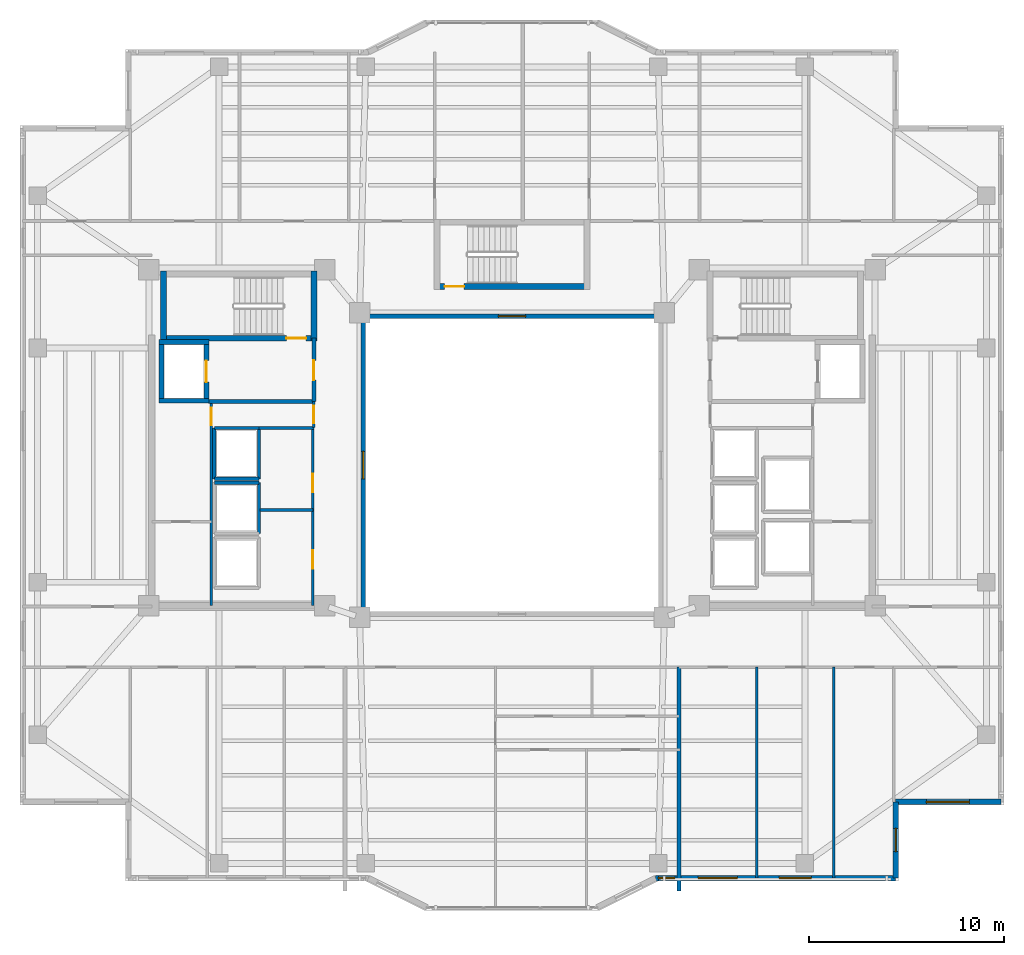
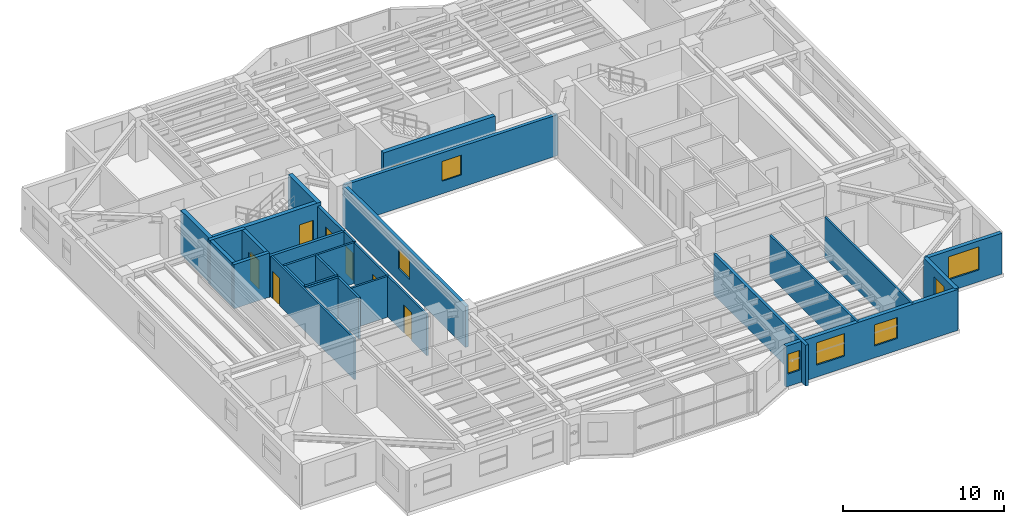
# One storey, part 7 of 15: 29 walls, 8 doors, 7 windows, 15 openings.
"""IFC4 building model written with IfcOpenShell, lengths in metres."""

from ifc_helpers import new_model, si_unit, direction, frame, frame_2d, origin, place, context, subcontext, project, spatial, rectangle, extrude, material, layer, layer_set, type_object, element, fill, save


model = new_model("IFC4")

# Units and contexts
model_context = context("Model", 3, precision=1e-05, world=origin(), true_north=direction((0.0, 1.0)))
body_context = subcontext(model_context, "Body", "Model", "MODEL_VIEW")
ifc_project = project(units=[si_unit("LENGTHUNIT", "METRE"), si_unit("AREAUNIT", "SQUARE_METRE"), si_unit("VOLUMEUNIT", "CUBIC_METRE"), si_unit("PLANEANGLEUNIT", "RADIAN"), si_unit("MASSUNIT", "GRAM", prefix="KILO")], contexts=[model_context])

# Site, building, storey
site_placement = place(None, origin())
site = spatial("IfcSite", under=ifc_project, at=site_placement, CompositionType="ELEMENT")
building_placement = place(site_placement, origin())
building = spatial("IfcBuilding", under=site, at=building_placement, Name="Tarnavaz Court Tower", CompositionType="ELEMENT")
storey_placement = place(building_placement, frame((0.0, 0.0, 139.300048828125)))
storey = spatial("IfcBuildingStorey", under=building, at=storey_placement, Name="L37", CompositionType="ELEMENT", Elevation=139.300048828125)

# Wall
ifc_material_1 = material(Name="Concrete C50/60", Category="concrete")
ifc_layer_1 = layer(ifc_material_1, 0.25)
ifc_layer_set_1 = layer_set([ifc_layer_1], Name="Concrete C50/60")
wall_type_1 = type_object("IfcWallType", Name="WL-CORE-250-C50", PredefinedType="SHEAR", material=ifc_layer_set_1)
wall_1_placement = place(storey_placement, frame((-17.949951171875, 3.175048828125, 0.0), z_axis=(0.0, 0.0, 1.0), x_axis=(0.0, 1.0, 0.0)))
element("IfcWall", 1, at=wall_1_placement, inside=storey, type_object=wall_type_1, Name="L37 Lift FL-W1 Shaft Wall 017", PredefinedType="SHEAR", context=body_context, shape_type="SweptSolid", body=[
    extrude(rectangle(XDim=3.25, YDim=0.25, at=frame_2d((1.625, 0.0))), origin(), (0.0, 0.0, 1.0), 3.349853515625),
])

# Wall, opening, door
wall_2_placement = place(storey_placement, frame((-15.64990234375, 3.175048828125, 0.0), z_axis=(0.0, 0.0, 1.0), x_axis=(0.0, 1.0, 0.0)))
wall_2 = element("IfcWall", 2, at=wall_2_placement, inside=storey, type_object=wall_type_1, Name="L37 Lift FL-W1 Shaft Wall 018", PredefinedType="SHEAR", context=body_context, shape_type="SweptSolid", body=[
    extrude(rectangle(XDim=3.25, YDim=0.25, at=frame_2d((1.625, 0.0))), origin(), (0.0, 0.0, 1.0), 3.349853515625),
])
opening_1_placement = place(wall_2_placement, frame((1.074951171875, 0.0, 0.0)))
opening_1 = element("IfcOpeningElement", 3, at=opening_1_placement, cuts=wall_2, Name="Opening LD1", PredefinedType="OPENING", context=body_context, shape_type="SweptSolid", body=[
    extrude(rectangle(XDim=1.10009765625, YDim=2.14990234375, at=frame_2d((0.550048828125, 1.074951171875))), frame((0.0, 0.135009765625, 0.0), z_axis=(0.0, -1.0, 0.0), x_axis=(1.0, 0.0, 0.0)), (0.0, 0.0, 1.0), 0.27001953125),
])
ifc_material_2 = material(Name="Stainless Steel", Category="steel")
door_type_1 = type_object("IfcDoorType", Name="DR-LD-1100", OperationType="NOTDEFINED", PredefinedType="DOOR", material=ifc_material_2)
door_1_placement = place(opening_1_placement, origin())
door_1 = element("IfcDoor", 4, at=door_1_placement, inside=storey, type_object=door_type_1, Name="L37 Lift Landing Door LD-FL-W1", OperationType="SLIDING_TO_LEFT", OverallHeight=2.14990234375, OverallWidth=1.10009765625, PredefinedType="DOOR", context=body_context, shape_type="SweptSolid", body=[
    extrude(rectangle(XDim=1.10009765625, YDim=2.14990234375, at=frame_2d((0.550048828125, 1.074951171875))), frame((0.0, 0.02490234375, 0.0), z_axis=(0.0, -1.0, 0.0), x_axis=(1.0, 0.0, 0.0)), (0.0, 0.0, 1.0), 0.050048828125),
])
fill(opening_1, door_1)

# Walls
for number, where, z_axis, x_axis, name in (
    (5, (-18.074951171875, 3.300048828125, 0.0), (0.0, 0.0, 1.0), (1.0, 0.0, 0.0), "L37 Lift FL-W1 Shaft Wall 019"),
    (6, (-18.074951171875, 6.300048828125, 0.0), (0.0, 0.0, 1.0), (1.0, 0.0, 0.0), "L37 Lift FL-W1 Shaft Wall 020"),
):
    element("IfcWall", number, at=place(storey_placement, frame(where, z_axis=z_axis, x_axis=x_axis)), inside=storey, type_object=wall_type_1, Name=name, PredefinedType="SHEAR", context=body_context, shape_type="SweptSolid", body=[
        extrude(rectangle(XDim=2.550048828125, YDim=0.25, at=frame_2d((1.27490234375, 0.0))), origin(), (0.0, 0.0, 1.0), 3.349853515625),
    ])

# Wall, opening, door
ifc_layer_2 = layer(ifc_material_1, 0.300048828125)
ifc_layer_set_2 = layer_set([ifc_layer_2], Name="Concrete C50/60")
wall_type_2 = type_object("IfcWallType", Name="WL-CORE-300-C50", PredefinedType="SHEAR", material=ifc_layer_set_2)
wall_3_placement = place(storey_placement, frame((-18.0, 6.5, 0.0), z_axis=(0.0, 0.0, 1.0), x_axis=(1.0, 0.0, 0.0)))
wall_3 = element("IfcWall", 7, at=wall_3_placement, inside=storey, type_object=wall_type_2, Name="L37 West Stair Core Wall 002", PredefinedType="SHEAR", context=body_context, shape_type="SweptSolid", body=[
    extrude(rectangle(XDim=8.0, YDim=0.300048828125, at=frame_2d((4.0, 0.0))), origin(), (0.0, 0.0, 1.0), 3.349853515625),
])
opening_2_placement = place(wall_3_placement, frame((6.449951171875, 0.0, 0.0)))
opening_2 = element("IfcOpeningElement", 8, at=opening_2_placement, cuts=wall_3, Name="Opening D01", PredefinedType="OPENING", context=body_context, shape_type="SweptSolid", body=[
    extrude(rectangle(XDim=1.0, YDim=2.14990234375, at=frame_2d((0.5, 1.074951171875))), frame((0.0, 0.159912109375, 0.0), z_axis=(0.0, -1.0, 0.0), x_axis=(1.0, 0.0, 0.0)), (0.0, 0.0, 1.0), 0.320068359375),
])
ifc_material_3 = material(Name="Fire-Rated Hardwood Timber Core", Category="wood")
door_type_2 = type_object("IfcDoorType", Name="DR-FD90-1000", OperationType="NOTDEFINED", PredefinedType="DOOR", material=ifc_material_3)
door_2_placement = place(opening_2_placement, origin())
door_2 = element("IfcDoor", 9, at=door_2_placement, inside=storey, type_object=door_type_2, Name="L37 Stair ST-W1 Exit Door", OperationType="SINGLE_SWING_LEFT", OverallHeight=2.14990234375, OverallWidth=1.0, PredefinedType="DOOR", context=body_context, shape_type="SweptSolid", body=[
    extrude(rectangle(XDim=1.0, YDim=2.14990234375, at=frame_2d((0.5, 1.074951171875))), frame((0.0, 0.02490234375, 0.0), z_axis=(0.0, -1.0, 0.0), x_axis=(1.0, 0.0, 0.0)), (0.0, 0.0, 1.0), 0.050048828125),
])
fill(opening_2, door_2)

# Walls
for number, where, z_axis, x_axis, name in (
    (10, (-17.85009765625, 6.35009765625, 0.0), (0.0, 0.0, 1.0), (0.0, 1.0, 0.0), "L37 West Stair Core Wall 003"),
    (11, (-10.14990234375, 6.35009765625, 0.0), (0.0, 0.0, 1.0), (0.0, 1.0, 0.0), "L37 West Stair Core Wall 004"),
):
    element("IfcWall", number, at=place(storey_placement, frame(where, z_axis=z_axis, x_axis=x_axis)), inside=storey, type_object=wall_type_2, Name=name, PredefinedType="SHEAR", context=body_context, shape_type="SweptSolid", body=[
        extrude(rectangle(XDim=3.58984375, YDim=0.300048828125, at=frame_2d((1.794921875, 0.0))), origin(), (0.0, 0.0, 1.0), 3.349853515625),
    ])

# Wall, opening, door
wall_4_placement = place(storey_placement, frame((-4.0, 9.14990234375, 0.0), z_axis=(0.0, 0.0, 1.0), x_axis=(1.0, 0.0, 0.0)))
wall_4 = element("IfcWall", 12, at=wall_4_placement, inside=storey, type_object=wall_type_2, Name="L37 North Stair Core Wall 010", PredefinedType="SHEAR", context=body_context, shape_type="SweptSolid", body=[
    extrude(rectangle(XDim=8.0, YDim=0.300048828125, at=frame_2d((4.0, 0.0))), origin(), (0.0, 0.0, 1.0), 3.349853515625),
])
opening_3_placement = place(wall_4_placement, frame((0.550048828125, 0.0, 0.0)))
opening_3 = element("IfcOpeningElement", 13, at=opening_3_placement, cuts=wall_4, Name="Opening D01", PredefinedType="OPENING", context=body_context, shape_type="SweptSolid", body=[
    extrude(rectangle(XDim=1.0, YDim=2.14990234375, at=frame_2d((0.5, 1.074951171875))), frame((0.0, 0.159912109375, 0.0), z_axis=(0.0, -1.0, 0.0), x_axis=(1.0, 0.0, 0.0)), (0.0, 0.0, 1.0), 0.320068359375),
])
door_3_placement = place(opening_3_placement, origin())
door_3 = element("IfcDoor", 14, at=door_3_placement, inside=storey, type_object=door_type_2, Name="L37 Stair ST-N1 Exit Door", OperationType="SINGLE_SWING_LEFT", OverallHeight=2.14990234375, OverallWidth=1.0, PredefinedType="DOOR", context=body_context, shape_type="SweptSolid", body=[
    extrude(rectangle(XDim=1.0, YDim=2.14990234375, at=frame_2d((0.5, 1.074951171875))), frame((0.0, 0.02490234375, 0.0), z_axis=(0.0, -1.0, 0.0), x_axis=(1.0, 0.0, 0.0)), (0.0, 0.0, 1.0), 0.050048828125),
])
fill(opening_3, door_3)

# Wall, opening, window
ifc_material_4 = material(Name="Precast Concrete C40/50", Category="concrete")
ifc_layer_3 = layer(ifc_material_4, 0.280029296875)
ifc_layer_set_3 = layer_set([ifc_layer_3], Name="Precast Concrete C40/50")
wall_type_3 = type_object("IfcWallType", Name="WL-EXT-280", PredefinedType="SOLIDWALL", material=ifc_layer_set_3)
wall_5_placement = place(storey_placement, frame((25.050048828125, -17.25, 0.0), z_axis=(0.0, 0.0, 1.0), x_axis=(-1.0, 0.0, 0.0)))
wall_5 = element("IfcWall", 15, at=wall_5_placement, inside=storey, type_object=wall_type_3, Name="L37 Exterior Terracotta Facade Wall 13", PredefinedType="SOLIDWALL", context=body_context, shape_type="SweptSolid", body=[
    extrude(rectangle(XDim=5.400146484375, YDim=0.280029296875, at=frame_2d((2.7001953125, 0.0))), origin(), (0.0, 0.0, 1.0), 3.099853515625),
])
opening_4_placement = place(wall_5_placement, frame((1.625, 0.0, 0.89990234375)))
opening_4 = element("IfcOpeningElement", 16, at=opening_4_placement, cuts=wall_5, Name="Opening W07", PredefinedType="OPENING", context=body_context, shape_type="SweptSolid", body=[
    extrude(rectangle(XDim=2.199951171875, YDim=1.75, at=frame_2d((1.10009765625, 0.875))), frame((0.0, 0.14990234375, 0.0), z_axis=(0.0, -1.0, 0.0), x_axis=(1.0, 0.0, 0.0)), (0.0, 0.0, 1.0), 0.300048828125),
])
ifc_material_5 = material(Name="Double-Glazed Solar Low-E Glass", Category="glass")
window_type_1 = type_object("IfcWindowType", Name="WN-APT-2200", PartitioningType="TRIPLE_PANEL_VERTICAL", PredefinedType="WINDOW", material=ifc_material_5)
window_1_placement = place(opening_4_placement, origin())
window_1 = element("IfcWindow", 17, at=window_1_placement, inside=storey, type_object=window_type_1, Name="L37 South-East Corner Reading Room Window", OverallHeight=1.75, OverallWidth=2.199951171875, PartitioningType="SINGLE_PANEL", PredefinedType="WINDOW", context=body_context, shape_type="SweptSolid", body=[
    extrude(rectangle(XDim=2.199951171875, YDim=1.75, at=frame_2d((1.10009765625, 0.875))), frame((0.0, 0.030029296875, 0.0), z_axis=(0.0, -1.0, 0.0), x_axis=(1.0, 0.0, 0.0)), (0.0, 0.0, 1.0), 0.06005859375),
])
fill(opening_4, window_1)

wall_6_placement = place(storey_placement, frame((19.64990234375, -17.25, 0.0), z_axis=(0.0, 0.0, 1.0), x_axis=(0.0, -1.0, 0.0)))
wall_6 = element("IfcWall", 18, at=wall_6_placement, inside=storey, type_object=wall_type_3, Name="L37 Exterior Terracotta Facade Wall 14", PredefinedType="SOLIDWALL", context=body_context, shape_type="SweptSolid", body=[
    extrude(rectangle(XDim=3.89990234375, YDim=0.280029296875, at=frame_2d((1.949951171875, 0.0))), origin(), (0.0, 0.0, 1.0), 3.099853515625),
])
opening_5_placement = place(wall_6_placement, frame((1.35009765625, 0.0, 0.949951171875)))
opening_5 = element("IfcOpeningElement", 19, at=opening_5_placement, cuts=wall_6, Name="Opening W05", PredefinedType="OPENING", context=body_context, shape_type="SweptSolid", body=[
    extrude(rectangle(XDim=1.199951171875, YDim=1.5, at=frame_2d((0.60009765625, 0.75))), frame((0.0, 0.14990234375, 0.0), z_axis=(0.0, -1.0, 0.0), x_axis=(1.0, 0.0, 0.0)), (0.0, 0.0, 1.0), 0.300048828125),
])
window_type_2 = type_object("IfcWindowType", Name="WN-APT-1200", PartitioningType="SINGLE_PANEL", PredefinedType="WINDOW", material=ifc_material_5)
window_2_placement = place(opening_5_placement, origin())
window_2 = element("IfcWindow", 20, at=window_2_placement, inside=storey, type_object=window_type_2, Name="L37 Prow Cheek Bedroom Window 14", OverallHeight=1.5, OverallWidth=1.199951171875, PartitioningType="SINGLE_PANEL", PredefinedType="WINDOW", context=body_context, shape_type="SweptSolid", body=[
    extrude(rectangle(XDim=1.199951171875, YDim=1.5, at=frame_2d((0.60009765625, 0.75))), frame((0.0, 0.030029296875, 0.0), z_axis=(0.0, -1.0, 0.0), x_axis=(1.0, 0.0, 0.0)), (0.0, 0.0, 1.0), 0.06005859375),
])
fill(opening_5, window_2)

# Wall, openings, windows
wall_7_placement = place(storey_placement, frame((19.64990234375, -21.14990234375, 0.0), z_axis=(0.0, 0.0, 1.0), x_axis=(-1.0, 0.0, 0.0)))
wall_7 = element("IfcWall", 21, at=wall_7_placement, inside=storey, type_object=wall_type_3, Name="L37 Exterior Terracotta Facade Wall 15", PredefinedType="SOLIDWALL", context=body_context, shape_type="SweptSolid", body=[
    extrude(rectangle(XDim=12.2998046875, YDim=0.280029296875, at=frame_2d((6.14990234375, 0.0))), origin(), (0.0, 0.0, 1.0), 3.099853515625),
])
opening_6_placement = place(wall_7_placement, frame((4.32080078125, 0.0, 0.89990234375)))
opening_6 = element("IfcOpeningElement", 22, at=opening_6_placement, cuts=wall_7, Name="Opening W02", PredefinedType="OPENING", context=body_context, shape_type="SweptSolid", body=[
    extrude(rectangle(XDim=1.64990234375, YDim=1.60009765625, at=frame_2d((0.824951171875, 0.800048828125))), frame((0.0, 0.14990234375, 0.0), z_axis=(0.0, -1.0, 0.0), x_axis=(1.0, 0.0, 0.0)), (0.0, 0.0, 1.0), 0.300048828125),
])
opening_7_placement = place(wall_7_placement, frame((8.112060546875, 0.0, 0.89990234375)))
opening_7 = element("IfcOpeningElement", 23, at=opening_7_placement, cuts=wall_7, Name="Opening W08", PredefinedType="OPENING", context=body_context, shape_type="SweptSolid", body=[
    extrude(rectangle(XDim=2.0, YDim=1.699951171875, at=frame_2d((1.0, 0.85009765625))), frame((0.0, 0.14990234375, 0.0), z_axis=(0.0, -1.0, 0.0), x_axis=(1.0, 0.0, 0.0)), (0.0, 0.0, 1.0), 0.300048828125),
])
opening_8_placement = place(wall_7_placement, frame((11.302978515625, 0.0, 0.949951171875)))
opening_8 = element("IfcOpeningElement", 24, at=opening_8_placement, cuts=wall_7, Name="Opening W15", PredefinedType="OPENING", context=body_context, shape_type="SweptSolid", body=[
    extrude(rectangle(XDim=0.85009765625, YDim=1.5, at=frame_2d((0.425048828125, 0.75))), frame((0.0, 0.14990234375, 0.0), z_axis=(0.0, -1.0, 0.0), x_axis=(1.0, 0.0, 0.0)), (0.0, 0.0, 1.0), 0.300048828125),
])
window_type_3 = type_object("IfcWindowType", Name="WN-APT-1650", PartitioningType="DOUBLE_PANEL_VERTICAL", PredefinedType="WINDOW", material=ifc_material_5)
window_3_placement = place(opening_6_placement, origin())
window_3 = element("IfcWindow", 25, at=window_3_placement, inside=storey, type_object=window_type_3, Name="L37 Craft and Maker Workshop Room Window", OverallHeight=1.60009765625, OverallWidth=1.64990234375, PartitioningType="SINGLE_PANEL", PredefinedType="WINDOW", context=body_context, shape_type="SweptSolid", body=[
    extrude(rectangle(XDim=1.64990234375, YDim=1.60009765625, at=frame_2d((0.824951171875, 0.800048828125))), frame((0.0, 0.030029296875, 0.0), z_axis=(0.0, -1.0, 0.0), x_axis=(1.0, 0.0, 0.0)), (0.0, 0.0, 1.0), 0.06005859375),
])
fill(opening_6, window_3)
window_type_4 = type_object("IfcWindowType", Name="WN-APT-2000", PartitioningType="DOUBLE_PANEL_VERTICAL", PredefinedType="WINDOW", material=ifc_material_5)
window_4_placement = place(opening_7_placement, origin())
window_4 = element("IfcWindow", 26, at=window_4_placement, inside=storey, type_object=window_type_4, Name="L37 Resident Community Meeting Room Window", OverallHeight=1.699951171875, OverallWidth=2.0, PartitioningType="SINGLE_PANEL", PredefinedType="WINDOW", context=body_context, shape_type="SweptSolid", body=[
    extrude(rectangle(XDim=2.0, YDim=1.699951171875, at=frame_2d((1.0, 0.85009765625))), frame((0.0, 0.030029296875, 0.0), z_axis=(0.0, -1.0, 0.0), x_axis=(1.0, 0.0, 0.0)), (0.0, 0.0, 1.0), 0.06005859375),
])
fill(opening_7, window_4)
window_type_5 = type_object("IfcWindowType", Name="WN-APT-850", PartitioningType="SINGLE_PANEL", PredefinedType="WINDOW", material=ifc_material_5)
window_5_placement = place(opening_8_placement, origin())
window_5 = element("IfcWindow", 27, at=window_5_placement, inside=storey, type_object=window_type_5, Name="L37 Flat 01 Bedroom 2 Window", OverallHeight=1.5, OverallWidth=0.85009765625, PartitioningType="SINGLE_PANEL", PredefinedType="WINDOW", context=body_context, shape_type="SweptSolid", body=[
    extrude(rectangle(XDim=0.85009765625, YDim=1.5, at=frame_2d((0.425048828125, 0.75))), frame((0.0, 0.030029296875, 0.0), z_axis=(0.0, -1.0, 0.0), x_axis=(1.0, 0.0, 0.0)), (0.0, 0.0, 1.0), 0.06005859375),
])
fill(opening_8, window_5)

# Wall
ifc_material_6 = material(Name="Autoclaved Aerated Concrete Blockwork", Category="masonry")
ifc_layer_4 = layer(ifc_material_6, 0.199951171875)
ifc_layer_set_4 = layer_set([ifc_layer_4], Name="Autoclaved Aerated Concrete Blockwork")
wall_type_4 = type_object("IfcWallType", Name="WL-FIRE-200", PredefinedType="SOLIDWALL", material=ifc_layer_set_4)
wall_8_placement = place(storey_placement, frame((-15.550048828125, 3.25, 0.0), z_axis=(0.0, 0.0, 1.0), x_axis=(1.0, 0.0, 0.0)))
element("IfcWall", 28, at=wall_8_placement, inside=storey, type_object=wall_type_4, Name="L37 West Firefighting Lobby Wall 013", PredefinedType="SOLIDWALL", context=body_context, shape_type="SweptSolid", body=[
    extrude(rectangle(XDim=5.400146484375, YDim=0.199951171875, at=frame_2d((2.7001953125, 0.0))), origin(), (0.0, 0.0, 1.0), 3.099853515625),
])

# Wall, opening, door
wall_9_placement = place(storey_placement, frame((-10.14990234375, 3.25, 0.0), z_axis=(0.0, 0.0, 1.0), x_axis=(0.0, 1.0, 0.0)))
wall_9 = element("IfcWall", 29, at=wall_9_placement, inside=storey, type_object=wall_type_4, Name="L37 West Firefighting Lobby Wall 014", PredefinedType="SOLIDWALL", context=body_context, shape_type="SweptSolid", body=[
    extrude(rectangle(XDim=3.25, YDim=0.199951171875, at=frame_2d((1.625, 0.0))), origin(), (0.0, 0.0, 1.0), 3.099853515625),
])
opening_9_placement = place(wall_9_placement, frame((1.10009765625, 0.0, 0.0)))
opening_9 = element("IfcOpeningElement", 30, at=opening_9_placement, cuts=wall_9, Name="Opening D05", PredefinedType="OPENING", context=body_context, shape_type="SweptSolid", body=[
    extrude(rectangle(XDim=1.02001953125, YDim=2.14990234375, at=frame_2d((0.510009765625, 1.074951171875))), frame((0.0, 0.10986328125, 0.0), z_axis=(0.0, -1.0, 0.0), x_axis=(1.0, 0.0, 0.0)), (0.0, 0.0, 1.0), 0.219970703125),
])
door_type_3 = type_object("IfcDoorType", Name="DR-FD60-1000", OperationType="NOTDEFINED", PredefinedType="DOOR", material=ifc_material_3)
door_4_placement = place(opening_9_placement, origin())
door_4 = element("IfcDoor", 31, at=door_4_placement, inside=storey, type_object=door_type_3, Name="L37 West Firefighting Lobby Door", OperationType="SINGLE_SWING_RIGHT", OverallHeight=2.14990234375, OverallWidth=1.02001953125, PredefinedType="DOOR", context=body_context, shape_type="SweptSolid", body=[
    extrude(rectangle(XDim=1.02001953125, YDim=2.14990234375, at=frame_2d((0.510009765625, 1.074951171875))), frame((0.0, 0.02490234375, 0.0), z_axis=(0.0, -1.0, 0.0), x_axis=(1.0, 0.0, 0.0)), (0.0, 0.0, 1.0), 0.050048828125),
])
fill(opening_9, door_4)

# Walls
wall_10_placement = place(storey_placement, frame((8.550048828125, -21.803955078125, 0.0), z_axis=(0.0, 0.0, 1.0), x_axis=(0.0, 1.0, 0.0)))
element("IfcWall", 32, at=wall_10_placement, inside=storey, type_object=wall_type_4, Name="L37 Party Wall 087", PredefinedType="SOLIDWALL", context=body_context, shape_type="SweptSolid", body=[
    extrude(rectangle(XDim=11.453857421875, YDim=0.199951171875, at=frame_2d((5.72705078125, 0.0))), origin(), (0.0, 0.0, 1.0), 3.099853515625),
])
ifc_material_7 = material(Name="Gypsum Plasterboard Acoustic Partition", Category="masonry")
ifc_layer_5 = layer(ifc_material_7, 0.139892578125)
ifc_layer_set_5 = layer_set([ifc_layer_5], Name="Gypsum Plasterboard Acoustic Partition")
wall_type_5 = type_object("IfcWallType", Name="WL-PART-150", PredefinedType="PARTITIONING", material=ifc_layer_set_5)
wall_11_placement = place(storey_placement, frame((-12.949951171875, 1.89990234375, 0.0), z_axis=(0.0, 0.0, 1.0), x_axis=(1.0, 0.0, 0.0)))
element("IfcWall", 33, at=wall_11_placement, inside=storey, type_object=wall_type_5, Name="L37 Interior Partition 061", PredefinedType="PARTITIONING", context=body_context, shape_type="SweptSolid", body=[
    extrude(rectangle(XDim=2.800048828125, YDim=0.139892578125, at=frame_2d((1.39990234375, 0.0))), origin(), (0.0, 0.0, 1.0), 3.099853515625),
])

# Wall, opening, door
wall_12_placement = place(storey_placement, frame((-10.14990234375, 1.919921875, 0.0), z_axis=(0.0, 0.0, 1.0), x_axis=(0.0, 1.0, 0.0)))
wall_12 = element("IfcWall", 34, at=wall_12_placement, inside=storey, type_object=wall_type_5, Name="L37 Interior Partition 062", PredefinedType="PARTITIONING", context=body_context, shape_type="SweptSolid", body=[
    extrude(rectangle(XDim=1.330078125, YDim=0.139892578125, at=frame_2d((0.6650390625, 0.0))), origin(), (0.0, 0.0, 1.0), 3.099853515625),
])
opening_10_placement = place(wall_12_placement, frame((0.219970703125, 0.0, 0.0)))
opening_10 = element("IfcOpeningElement", 35, at=opening_10_placement, cuts=wall_12, Name="Opening D09", PredefinedType="OPENING", context=body_context, shape_type="SweptSolid", body=[
    extrude(rectangle(XDim=0.89990234375, YDim=2.080078125, at=frame_2d((0.449951171875, 1.0400390625))), frame((0.0, 0.079833984375, 0.0), z_axis=(0.0, -1.0, 0.0), x_axis=(1.0, 0.0, 0.0)), (0.0, 0.0, 1.0), 0.159912109375),
])
door_type_4 = type_object("IfcDoorType", Name="DR-FD30-900", OperationType="NOTDEFINED", PredefinedType="DOOR", material=ifc_material_3)
door_5_placement = place(opening_10_placement, origin())
door_5 = element("IfcDoor", 36, at=door_5_placement, inside=storey, type_object=door_type_4, Name="L37 West Core Service Lobby Door", OperationType="SINGLE_SWING_LEFT", OverallHeight=2.080078125, OverallWidth=0.89990234375, PredefinedType="DOOR", context=body_context, shape_type="SweptSolid", body=[
    extrude(rectangle(XDim=0.89990234375, YDim=2.080078125, at=frame_2d((0.449951171875, 1.0400390625))), frame((0.0, 0.02490234375, 0.0), z_axis=(0.0, -1.0, 0.0), x_axis=(1.0, 0.0, 0.0)), (0.0, 0.0, 1.0), 0.050048828125),
])
fill(opening_10, door_5)

wall_13_placement = place(storey_placement, frame((-15.39990234375, -7.199951171875, 0.0), z_axis=(0.0, 0.0, 1.0), x_axis=(0.0, 1.0, 0.0)))
wall_13 = element("IfcWall", 37, at=wall_13_placement, inside=storey, type_object=wall_type_5, Name="L37 Interior Partition 063", PredefinedType="PARTITIONING", context=body_context, shape_type="SweptSolid", body=[
    extrude(rectangle(XDim=10.449951171875, YDim=0.139892578125, at=frame_2d((5.22509765625, 0.0))), origin(), (0.0, 0.0, 1.0), 3.099853515625),
])
opening_11_placement = place(wall_13_placement, frame((9.25, 0.0, 0.0)))
opening_11 = element("IfcOpeningElement", 38, at=opening_11_placement, cuts=wall_13, Name="Opening D09", PredefinedType="OPENING", context=body_context, shape_type="SweptSolid", body=[
    extrude(rectangle(XDim=0.89990234375, YDim=2.080078125, at=frame_2d((0.449951171875, 1.0400390625))), frame((0.0, 0.079833984375, 0.0), z_axis=(0.0, -1.0, 0.0), x_axis=(1.0, 0.0, 0.0)), (0.0, 0.0, 1.0), 0.159912109375),
])
door_6_placement = place(opening_11_placement, origin())
door_6 = element("IfcDoor", 39, at=door_6_placement, inside=storey, type_object=door_type_4, Name="L37 West Valve Room Door", OperationType="SINGLE_SWING_RIGHT", OverallHeight=2.080078125, OverallWidth=0.89990234375, PredefinedType="DOOR", context=body_context, shape_type="SweptSolid", body=[
    extrude(rectangle(XDim=0.89990234375, YDim=2.080078125, at=frame_2d((0.449951171875, 1.0400390625))), frame((0.0, 0.02490234375, 0.0), z_axis=(0.0, -1.0, 0.0), x_axis=(1.0, 0.0, 0.0)), (0.0, 0.0, 1.0), 0.050048828125),
])
fill(opening_11, door_6)

# Wall, openings, doors
wall_14_placement = place(storey_placement, frame((-10.199951171875, -7.199951171875, 0.0), z_axis=(0.0, 0.0, 1.0), x_axis=(0.0, 1.0, 0.0)))
wall_14 = element("IfcWall", 40, at=wall_14_placement, inside=storey, type_object=wall_type_5, Name="L37 West Reclaimed Core Wall 065", PredefinedType="PARTITIONING", context=body_context, shape_type="SweptSolid", body=[
    extrude(rectangle(XDim=9.119873046875, YDim=0.139892578125, at=frame_2d((4.56005859375, 0.0))), origin(), (0.0, 0.0, 1.0), 3.099853515625),
])
opening_12_placement = place(wall_14_placement, frame((1.89990234375, 0.0, 0.0)))
opening_12 = element("IfcOpeningElement", 41, at=opening_12_placement, cuts=wall_14, Name="Opening D08", PredefinedType="OPENING", context=body_context, shape_type="SweptSolid", body=[
    extrude(rectangle(XDim=0.949951171875, YDim=2.1201171875, at=frame_2d((0.47509765625, 1.06005859375))), frame((0.0, 0.079833984375, 0.0), z_axis=(0.0, -1.0, 0.0), x_axis=(1.0, 0.0, 0.0)), (0.0, 0.0, 1.0), 0.159912109375),
])
opening_13_placement = place(wall_14_placement, frame((5.800048828125, 0.0, 0.0)))
opening_13 = element("IfcOpeningElement", 42, at=opening_13_placement, cuts=wall_14, Name="Opening D08", PredefinedType="OPENING", context=body_context, shape_type="SweptSolid", body=[
    extrude(rectangle(XDim=0.949951171875, YDim=2.1201171875, at=frame_2d((0.47509765625, 1.06005859375))), frame((0.0, 0.079833984375, 0.0), z_axis=(0.0, -1.0, 0.0), x_axis=(1.0, 0.0, 0.0)), (0.0, 0.0, 1.0), 0.159912109375),
])
door_type_5 = type_object("IfcDoorType", Name="DR-FD30-950", OperationType="NOTDEFINED", PredefinedType="DOOR", material=ifc_material_3)
door_7_placement = place(opening_12_placement, origin())
door_7 = element("IfcDoor", 43, at=door_7_placement, inside=storey, type_object=door_type_5, Name="L37 West Study Room Door", OperationType="SINGLE_SWING_RIGHT", OverallHeight=2.1201171875, OverallWidth=0.949951171875, PredefinedType="DOOR", context=body_context, shape_type="SweptSolid", body=[
    extrude(rectangle(XDim=0.949951171875, YDim=2.1201171875, at=frame_2d((0.47509765625, 1.06005859375))), frame((0.0, 0.02490234375, 0.0), z_axis=(0.0, -1.0, 0.0), x_axis=(1.0, 0.0, 0.0)), (0.0, 0.0, 1.0), 0.050048828125),
])
fill(opening_12, door_7)
door_8_placement = place(opening_13_placement, origin())
door_8 = element("IfcDoor", 44, at=door_8_placement, inside=storey, type_object=door_type_5, Name="L37 West Laundry Room Door", OperationType="SINGLE_SWING_LEFT", OverallHeight=2.1201171875, OverallWidth=0.949951171875, PredefinedType="DOOR", context=body_context, shape_type="SweptSolid", body=[
    extrude(rectangle(XDim=0.949951171875, YDim=2.1201171875, at=frame_2d((0.47509765625, 1.06005859375))), frame((0.0, 0.02490234375, 0.0), z_axis=(0.0, -1.0, 0.0), x_axis=(1.0, 0.0, 0.0)), (0.0, 0.0, 1.0), 0.050048828125),
])
fill(opening_13, door_8)

# Walls
wall_15_placement = place(storey_placement, frame((-12.89990234375, -2.300048828125, 0.0), z_axis=(0.0, 0.0, 1.0), x_axis=(1.0, 0.0, 0.0)))
element("IfcWall", 45, at=wall_15_placement, inside=storey, type_object=wall_type_5, Name="L37 Interior Partition 066", PredefinedType="PARTITIONING", context=body_context, shape_type="SweptSolid", body=[
    extrude(rectangle(XDim=2.699951171875, YDim=0.139892578125, at=frame_2d((1.35009765625, 0.0))), origin(), (0.0, 0.0, 1.0), 3.099853515625),
])
for number, where, z_axis, x_axis, name in (
    (46, (12.5419921875, -21.14990234375, 0.0), (0.0, 0.0, 1.0), (0.0, 1.0, 0.0), "L37 Interior Partition 084"),
    (47, (16.48388671875, -21.14990234375, 0.0), (0.0, 0.0, 1.0), (0.0, 1.0, 0.0), "L37 Interior Partition 085"),
):
    element("IfcWall", number, at=place(storey_placement, frame(where, z_axis=z_axis, x_axis=x_axis)), inside=storey, type_object=wall_type_5, Name=name, PredefinedType="PARTITIONING", context=body_context, shape_type="SweptSolid", body=[
        extrude(rectangle(XDim=10.7998046875, YDim=0.139892578125, at=frame_2d((5.39990234375, 0.0))), origin(), (0.0, 0.0, 1.0), 3.099853515625),
    ])
ifc_layer_6 = layer(ifc_material_6, 0.159912109375)
ifc_layer_set_6 = layer_set([ifc_layer_6], Name="Autoclaved Aerated Concrete Blockwork")
wall_type_6 = type_object("IfcWallType", Name="WL-SHAFT-150", PredefinedType="SOLIDWALL", material=ifc_layer_set_6)
wall_16_placement = place(storey_placement, frame((-12.949951171875, -3.5, 0.0), z_axis=(0.0, 0.0, 1.0), x_axis=(0.0, 1.0, 0.0)))
element("IfcWall", 48, at=wall_16_placement, inside=storey, type_object=wall_type_6, Name="L37 Lift PL-H2 Shaft Wall 026", PredefinedType="SOLIDWALL", context=body_context, shape_type="SweptSolid", body=[
    extrude(rectangle(XDim=2.60009765625, YDim=0.159912109375, at=frame_2d((1.300048828125, 0.0))), origin(), (0.0, 0.0, 1.0), 3.099853515625),
])
wall_17_placement = place(storey_placement, frame((-15.25, -0.89990234375, 0.0), z_axis=(0.0, 0.0, 1.0), x_axis=(1.0, 0.0, 0.0)))
element("IfcWall", 49, at=wall_17_placement, inside=storey, type_object=wall_type_6, Name="L37 Lift PL-H2 Shaft Wall 028", PredefinedType="SOLIDWALL", context=body_context, shape_type="SweptSolid", body=[
    extrude(rectangle(XDim=2.300048828125, YDim=0.159912109375, at=frame_2d((1.14990234375, 0.0))), origin(), (0.0, 0.0, 1.0), 3.099853515625),
])
for number, where, z_axis, x_axis, name in (
    (50, (-15.25, -0.699951171875, 0.0), (0.0, 0.0, 1.0), (0.0, 1.0, 0.0), "L37 Lift PL-H3 Shaft Wall 029"),
    (51, (-12.949951171875, -0.699951171875, 0.0), (0.0, 0.0, 1.0), (0.0, 1.0, 0.0), "L37 Lift PL-H3 Shaft Wall 030"),
):
    element("IfcWall", number, at=place(storey_placement, frame(where, z_axis=z_axis, x_axis=x_axis)), inside=storey, type_object=wall_type_6, Name=name, PredefinedType="SOLIDWALL", context=body_context, shape_type="SweptSolid", body=[
        extrude(rectangle(XDim=2.599853515625, YDim=0.159912109375, at=frame_2d((1.2998046875, 0.0))), origin(), (0.0, 0.0, 1.0), 3.099853515625),
    ])
for number, where, z_axis, x_axis, name in (
    (52, (-15.25, -0.699951171875, 0.0), (0.0, 0.0, 1.0), (1.0, 0.0, 0.0), "L37 Lift PL-H3 Shaft Wall 031"),
    (53, (-15.25, 1.89990234375, 0.0), (0.0, 0.0, 1.0), (1.0, 0.0, 0.0), "L37 Lift PL-H3 Shaft Wall 032"),
):
    element("IfcWall", number, at=place(storey_placement, frame(where, z_axis=z_axis, x_axis=x_axis)), inside=storey, type_object=wall_type_6, Name=name, PredefinedType="SOLIDWALL", context=body_context, shape_type="SweptSolid", body=[
        extrude(rectangle(XDim=2.300048828125, YDim=0.159912109375, at=frame_2d((1.14990234375, 0.0))), origin(), (0.0, 0.0, 1.0), 3.099853515625),
    ])

# Wall, opening, window
ifc_layer_7 = layer(ifc_material_4, 0.239990234375)
ifc_layer_set_7 = layer_set([ifc_layer_7], Name="Precast Concrete C40/50")
wall_type_7 = type_object("IfcWallType", Name="WL-WELL-240", PredefinedType="SOLIDWALL", material=ifc_layer_set_7)
wall_18_placement = place(storey_placement, frame((7.6201171875, 7.6201171875, 0.0), z_axis=(0.0, 0.0, 1.0), x_axis=(-1.0, 0.0, 0.0)))
wall_18 = element("IfcWall", 54, at=wall_18_placement, inside=storey, type_object=wall_type_7, Name="L37 Badgir Light-Well Exterior Wall N", PredefinedType="SOLIDWALL", context=body_context, shape_type="SweptSolid", body=[
    extrude(rectangle(XDim=15.240234375, YDim=0.239990234375, at=frame_2d((7.6201171875, 0.0))), origin(), (0.0, 0.0, 1.0), 3.099853515625),
])
opening_14_placement = place(wall_18_placement, frame((6.919921875, 0.0, 0.949951171875)))
opening_14 = element("IfcOpeningElement", 55, at=opening_14_placement, cuts=wall_18, Name="Opening W13", PredefinedType="OPENING", context=body_context, shape_type="SweptSolid", body=[
    extrude(rectangle(XDim=1.39990234375, YDim=1.5, at=frame_2d((0.699951171875, 0.75))), frame((0.0, 0.1298828125, 0.0), z_axis=(0.0, -1.0, 0.0), x_axis=(1.0, 0.0, 0.0)), (0.0, 0.0, 1.0), 0.260009765625),
])
window_type_6 = type_object("IfcWindowType", Name="WN-WEL-1400", PartitioningType="SINGLE_PANEL", PredefinedType="WINDOW", material=ifc_material_5)
window_6_placement = place(opening_14_placement, origin())
window_6 = element("IfcWindow", 56, at=window_6_placement, inside=storey, type_object=window_type_6, Name="L37 Courtyard Gallery Window N", OverallHeight=1.5, OverallWidth=1.39990234375, PartitioningType="SINGLE_PANEL", PredefinedType="WINDOW", context=body_context, shape_type="SweptSolid", body=[
    extrude(rectangle(XDim=1.39990234375, YDim=1.5, at=frame_2d((0.699951171875, 0.75))), frame((0.0, 0.030029296875, 0.0), z_axis=(0.0, -1.0, 0.0), x_axis=(1.0, 0.0, 0.0)), (0.0, 0.0, 1.0), 0.06005859375),
])
fill(opening_14, window_6)

wall_19_placement = place(storey_placement, frame((-7.6201171875, 7.6201171875, 0.0), z_axis=(0.0, 0.0, 1.0), x_axis=(0.0, -1.0, 0.0)))
wall_19 = element("IfcWall", 57, at=wall_19_placement, inside=storey, type_object=wall_type_7, Name="L37 Badgir Light-Well Exterior Wall W", PredefinedType="SOLIDWALL", context=body_context, shape_type="SweptSolid", body=[
    extrude(rectangle(XDim=15.240234375, YDim=0.239990234375, at=frame_2d((7.6201171875, 0.0))), origin(), (0.0, 0.0, 1.0), 3.099853515625),
])
opening_15_placement = place(wall_19_placement, frame((6.919921875, 0.0, 0.949951171875)))
opening_15 = element("IfcOpeningElement", 58, at=opening_15_placement, cuts=wall_19, Name="Opening W13", PredefinedType="OPENING", context=body_context, shape_type="SweptSolid", body=[
    extrude(rectangle(XDim=1.39990234375, YDim=1.5, at=frame_2d((0.699951171875, 0.75))), frame((0.0, 0.1298828125, 0.0), z_axis=(0.0, -1.0, 0.0), x_axis=(1.0, 0.0, 0.0)), (0.0, 0.0, 1.0), 0.260009765625),
])
window_7_placement = place(opening_15_placement, origin())
window_7 = element("IfcWindow", 59, at=window_7_placement, inside=storey, type_object=window_type_6, Name="L37 Courtyard Gallery Window W", OverallHeight=1.5, OverallWidth=1.39990234375, PartitioningType="SINGLE_PANEL", PredefinedType="WINDOW", context=body_context, shape_type="SweptSolid", body=[
    extrude(rectangle(XDim=1.39990234375, YDim=1.5, at=frame_2d((0.699951171875, 0.75))), frame((0.0, 0.030029296875, 0.0), z_axis=(0.0, -1.0, 0.0), x_axis=(1.0, 0.0, 0.0)), (0.0, 0.0, 1.0), 0.06005859375),
])
fill(opening_15, window_7)

save(model, "model.ifc")
